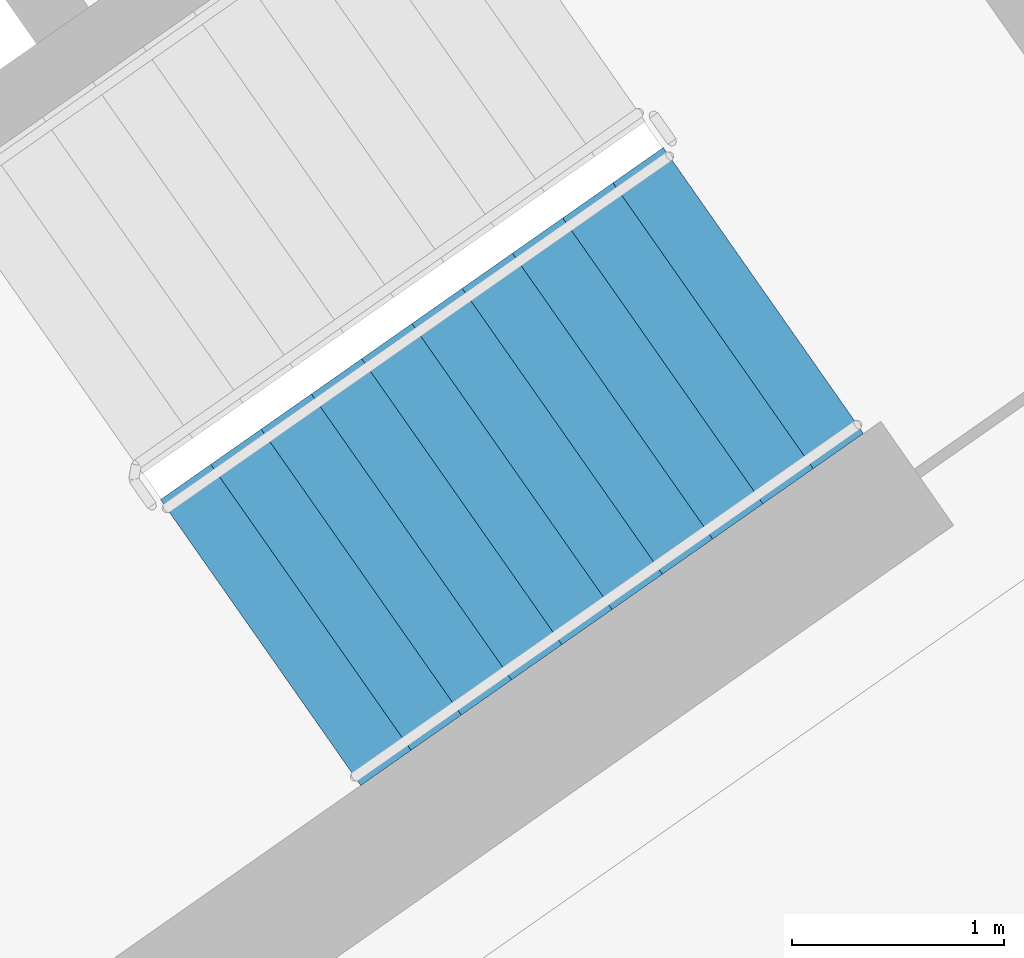
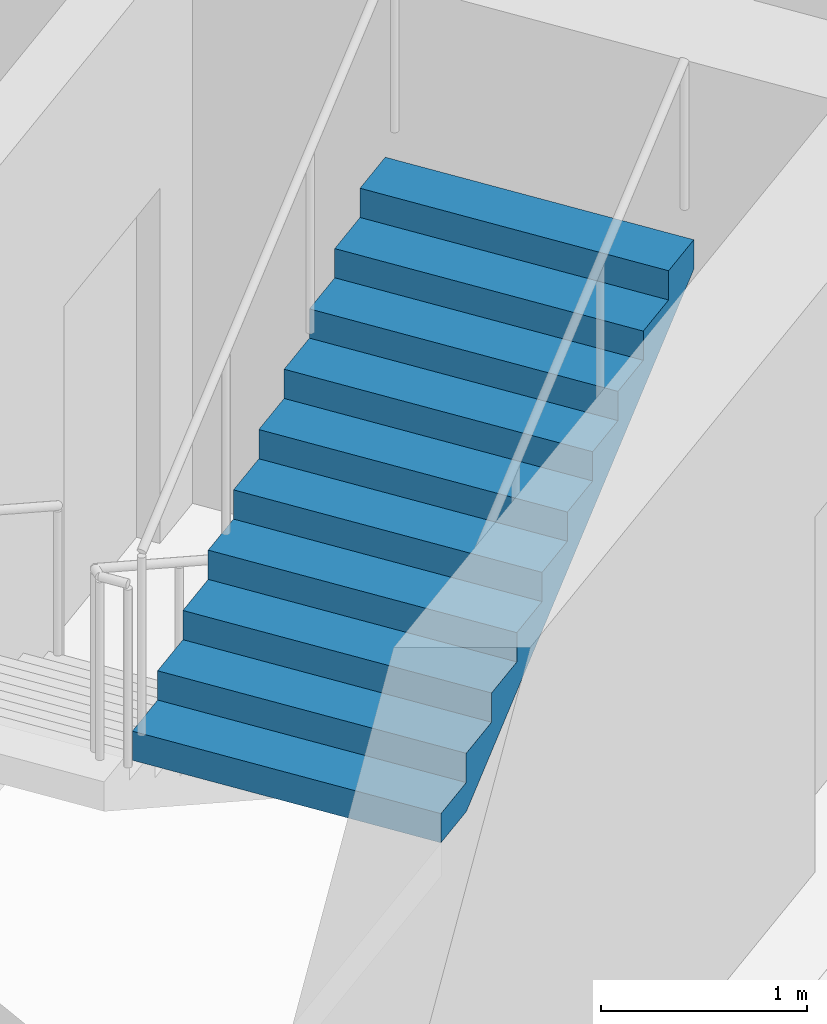
# One storey, part 16 of 28: 1 stair flight, 1 element without a shape of its own.
"""IFC4 building model written with IfcOpenShell, lengths in metres."""

from ifc_helpers import new_model, si_unit, direction, frame, origin, place, context, subcontext, project, spatial, faceted_brep, material, type_object, element, aggregate, save


model = new_model("IFC4")

# Units and contexts
model_context = context("Model", 3, precision=1e-05, world=origin(), true_north=direction((0.0, 1.0)))
body_context = subcontext(model_context, "Body", "Model", "MODEL_VIEW")
ifc_project = project(units=[si_unit("LENGTHUNIT", "METRE"), si_unit("AREAUNIT", "SQUARE_METRE"), si_unit("VOLUMEUNIT", "CUBIC_METRE"), si_unit("PLANEANGLEUNIT", "RADIAN"), si_unit("MASSUNIT", "GRAM", prefix="KILO")], contexts=[model_context])

# Site, building, storey
site_placement = place(None, origin())
site = spatial("IfcSite", under=ifc_project, at=site_placement, CompositionType="ELEMENT")
building_placement = place(site_placement, origin())
building = spatial("IfcBuilding", under=site, at=building_placement, Name="Qamariyya Broadcast Tower", CompositionType="ELEMENT")
storey_placement = place(building_placement, frame((0.0, 0.0, 249.300048828125)))
storey = spatial("IfcBuildingStorey", under=building, at=storey_placement, Name="L60", CompositionType="ELEMENT", Elevation=249.300048828125)

# Stair, stair flight
ifc_material = material(Name="Concrete C50/60", Category="concrete")
stair_type = type_object("IfcStairType", Name="Exit stair 22 risers of 173 mm", PredefinedType="HALF_TURN_STAIR", material=ifc_material)
stair_placement = place(storey_placement, origin())
stair = element("IfcStair", 1, at=stair_placement, inside=storey, type_object=stair_type, Name="L60 Stair E1", PredefinedType="HALF_TURN_STAIR")
stair_flight_type = type_object("IfcStairFlightType", Name="Exit stair flight 11 risers of 173 mm", PredefinedType="STRAIGHT", material=ifc_material)
stair_flight_placement = place(storey_placement, frame((44.693359375, -58.64599609375, 1.89990234375), z_axis=(0.0, 0.0, 1.0), x_axis=(0.819152044289, 0.573576436351, 0.0)))
stair_flight = element("IfcStairFlight", 2, at=stair_flight_placement, type_object=stair_flight_type, Name="ST-E1 flight 2", NumberOfRisers=11, NumberOfTreads=10, PredefinedType="STRAIGHT", RiserHeight=0.172727273, TreadLength=0.29, context=body_context, shape_type="Brep", body=[
    faceted_brep([(0.0, 0.824951171875, 0.0), (0.0, 0.824951171875, 0.172607421875), (0.2900390625, 0.824951171875, 0.172607421875), (0.2900390625, 0.824951171875, 0.345458984375), (0.580078125, 0.824951171875, 0.345458984375), (0.580078125, 0.824951171875, 0.51806640625), (0.8701171875, 0.824951171875, 0.51806640625), (0.8701171875, 0.824951171875, 0.69091796875), (1.159912109375, 0.824951171875, 0.69091796875), (1.159912109375, 0.824951171875, 0.863525390625), (1.449951171875, 0.824951171875, 0.863525390625), (1.449951171875, 0.824951171875, 1.036376953125), (1.739990234375, 0.824951171875, 1.036376953125), (1.739990234375, 0.824951171875, 1.208984375), (2.030029296875, 0.824951171875, 1.208984375), (2.030029296875, 0.824951171875, 1.3818359375), (2.320068359375, 0.824951171875, 1.3818359375), (2.320068359375, 0.824951171875, 1.554443359375), (2.610107421875, 0.824951171875, 1.554443359375), (2.610107421875, 0.824951171875, 1.727294921875), (2.89990234375, 0.824951171875, 1.727294921875), (2.89990234375, 0.824951171875, 1.552734375), (0.29296875, 0.824951171875, 0.0), (0.29296875, -0.824951171875, 0.0), (2.89990234375, -0.824951171875, 1.552734375), (2.89990234375, -0.824951171875, 1.727294921875), (2.610107421875, -0.824951171875, 1.727294921875), (2.610107421875, -0.824951171875, 1.554443359375), (2.320068359375, -0.824951171875, 1.554443359375), (2.320068359375, -0.824951171875, 1.3818359375), (2.030029296875, -0.824951171875, 1.3818359375), (2.030029296875, -0.824951171875, 1.208984375), (1.739990234375, -0.824951171875, 1.208984375), (1.739990234375, -0.824951171875, 1.036376953125), (1.449951171875, -0.824951171875, 1.036376953125), (1.449951171875, -0.824951171875, 0.863525390625), (1.159912109375, -0.824951171875, 0.863525390625), (1.159912109375, -0.824951171875, 0.69091796875), (0.8701171875, -0.824951171875, 0.69091796875), (0.8701171875, -0.824951171875, 0.51806640625), (0.580078125, -0.824951171875, 0.51806640625), (0.580078125, -0.824951171875, 0.345458984375), (0.2900390625, -0.824951171875, 0.345458984375), (0.2900390625, -0.824951171875, 0.172607421875), (0.0, -0.824951171875, 0.172607421875), (0.0, -0.824951171875, 0.0), (0.0, 0.10009765625, 0.0), (0.0, 0.086669921875, 0.0), (0.0, 0.0732421875, 0.0), (0.0, 0.06005859375, 0.0), (0.0, 0.046630859375, 0.0), (0.0, 0.033447265625, 0.0), (0.0, 0.02001953125, 0.0), (0.0, 0.006591796875, 0.0), (0.0, -0.006591796875, 0.0), (0.0, -0.02001953125, 0.0), (0.0, -0.033447265625, 0.0), (0.0, -0.046630859375, 0.0), (0.0, -0.06005859375, 0.0), (0.0, -0.0732421875, 0.0), (0.0, -0.086669921875, 0.0), (0.0, -0.10009765625, 0.0), (0.0, -0.10009765625, 0.172607421875), (0.0, -0.086669921875, 0.172607421875), (0.0, -0.0732421875, 0.172607421875), (0.0, -0.06005859375, 0.172607421875), (0.0, -0.046630859375, 0.172607421875), (0.0, -0.033447265625, 0.172607421875), (0.0, -0.02001953125, 0.172607421875), (0.0, -0.006591796875, 0.172607421875), (0.0, 0.006591796875, 0.172607421875), (0.0, 0.02001953125, 0.172607421875), (0.0, 0.033447265625, 0.172607421875), (0.0, 0.046630859375, 0.172607421875), (0.0, 0.06005859375, 0.172607421875), (0.0, 0.0732421875, 0.172607421875), (0.0, 0.086669921875, 0.172607421875), (0.0, 0.10009765625, 0.172607421875), (0.2900390625, -0.10009765625, 0.172607421875), (0.2900390625, -0.086669921875, 0.172607421875), (0.2900390625, -0.0732421875, 0.172607421875), (0.2900390625, -0.06005859375, 0.172607421875), (0.2900390625, -0.046630859375, 0.172607421875), (0.2900390625, -0.033447265625, 0.172607421875), (0.2900390625, -0.02001953125, 0.172607421875), (0.2900390625, -0.006591796875, 0.172607421875), (0.2900390625, 0.006591796875, 0.172607421875), (0.2900390625, 0.02001953125, 0.172607421875), (0.2900390625, 0.033447265625, 0.172607421875), (0.2900390625, 0.046630859375, 0.172607421875), (0.2900390625, 0.06005859375, 0.172607421875), (0.2900390625, 0.0732421875, 0.172607421875), (0.2900390625, 0.086669921875, 0.172607421875), (0.2900390625, 0.10009765625, 0.172607421875), (0.2900390625, -0.10009765625, 0.345458984375), (0.2900390625, -0.086669921875, 0.345458984375), (0.2900390625, -0.0732421875, 0.345458984375), (0.2900390625, -0.06005859375, 0.345458984375), (0.2900390625, -0.046630859375, 0.345458984375), (0.2900390625, -0.033447265625, 0.345458984375), (0.2900390625, -0.02001953125, 0.345458984375), (0.2900390625, -0.006591796875, 0.345458984375), (0.2900390625, 0.006591796875, 0.345458984375), (0.2900390625, 0.02001953125, 0.345458984375), (0.2900390625, 0.033447265625, 0.345458984375), (0.2900390625, 0.046630859375, 0.345458984375), (0.2900390625, 0.06005859375, 0.345458984375), (0.2900390625, 0.0732421875, 0.345458984375), (0.2900390625, 0.086669921875, 0.345458984375), (0.2900390625, 0.10009765625, 0.345458984375), (0.580078125, -0.10009765625, 0.345458984375), (0.580078125, -0.086669921875, 0.345458984375), (0.580078125, -0.0732421875, 0.345458984375), (0.580078125, -0.06005859375, 0.345458984375), (0.580078125, -0.046630859375, 0.345458984375), (0.580078125, -0.033447265625, 0.345458984375), (0.580078125, -0.02001953125, 0.345458984375), (0.580078125, -0.006591796875, 0.345458984375), (0.580078125, 0.006591796875, 0.345458984375), (0.580078125, 0.02001953125, 0.345458984375), (0.580078125, 0.033447265625, 0.345458984375), (0.580078125, 0.046630859375, 0.345458984375), (0.580078125, 0.06005859375, 0.345458984375), (0.580078125, 0.0732421875, 0.345458984375), (0.580078125, 0.086669921875, 0.345458984375), (0.580078125, 0.10009765625, 0.345458984375), (0.580078125, -0.10009765625, 0.51806640625), (0.580078125, -0.086669921875, 0.51806640625), (0.580078125, -0.0732421875, 0.51806640625), (0.580078125, -0.06005859375, 0.51806640625), (0.580078125, -0.046630859375, 0.51806640625), (0.580078125, -0.033447265625, 0.51806640625), (0.580078125, -0.02001953125, 0.51806640625), (0.580078125, -0.006591796875, 0.51806640625), (0.580078125, 0.006591796875, 0.51806640625), (0.580078125, 0.02001953125, 0.51806640625), (0.580078125, 0.033447265625, 0.51806640625), (0.580078125, 0.046630859375, 0.51806640625), (0.580078125, 0.06005859375, 0.51806640625), (0.580078125, 0.0732421875, 0.51806640625), (0.580078125, 0.086669921875, 0.51806640625), (0.580078125, 0.10009765625, 0.51806640625), (0.8701171875, -0.10009765625, 0.51806640625), (0.8701171875, -0.086669921875, 0.51806640625), (0.8701171875, -0.0732421875, 0.51806640625), (0.8701171875, -0.06005859375, 0.51806640625), (0.8701171875, -0.046630859375, 0.51806640625), (0.8701171875, -0.033447265625, 0.51806640625), (0.8701171875, -0.02001953125, 0.51806640625), (0.8701171875, -0.006591796875, 0.51806640625), (0.8701171875, 0.006591796875, 0.51806640625), (0.8701171875, 0.02001953125, 0.51806640625), (0.8701171875, 0.033447265625, 0.51806640625), (0.8701171875, 0.046630859375, 0.51806640625), (0.8701171875, 0.06005859375, 0.51806640625), (0.8701171875, 0.0732421875, 0.51806640625), (0.8701171875, 0.086669921875, 0.51806640625), (0.8701171875, 0.10009765625, 0.51806640625), (0.8701171875, -0.10009765625, 0.69091796875), (0.8701171875, -0.086669921875, 0.69091796875), (0.8701171875, -0.0732421875, 0.69091796875), (0.8701171875, -0.06005859375, 0.69091796875), (0.8701171875, -0.046630859375, 0.69091796875), (0.8701171875, -0.033447265625, 0.69091796875), (0.8701171875, -0.02001953125, 0.69091796875), (0.8701171875, -0.006591796875, 0.69091796875), (0.8701171875, 0.006591796875, 0.69091796875), (0.8701171875, 0.02001953125, 0.69091796875), (0.8701171875, 0.033447265625, 0.69091796875), (0.8701171875, 0.046630859375, 0.69091796875), (0.8701171875, 0.06005859375, 0.69091796875), (0.8701171875, 0.0732421875, 0.69091796875), (0.8701171875, 0.086669921875, 0.69091796875), (0.8701171875, 0.10009765625, 0.69091796875), (1.159912109375, -0.10009765625, 0.69091796875), (1.159912109375, -0.086669921875, 0.69091796875), (1.159912109375, -0.0732421875, 0.69091796875), (1.159912109375, -0.06005859375, 0.69091796875), (1.159912109375, -0.046630859375, 0.69091796875), (1.159912109375, -0.033447265625, 0.69091796875), (1.159912109375, -0.02001953125, 0.69091796875), (1.159912109375, -0.006591796875, 0.69091796875), (1.159912109375, 0.006591796875, 0.69091796875), (1.159912109375, 0.02001953125, 0.69091796875), (1.159912109375, 0.033447265625, 0.69091796875), (1.159912109375, 0.046630859375, 0.69091796875), (1.159912109375, 0.06005859375, 0.69091796875), (1.159912109375, 0.0732421875, 0.69091796875), (1.159912109375, 0.086669921875, 0.69091796875), (1.159912109375, 0.10009765625, 0.69091796875), (1.159912109375, -0.10009765625, 0.863525390625), (1.159912109375, -0.086669921875, 0.863525390625), (1.159912109375, -0.0732421875, 0.863525390625), (1.159912109375, -0.06005859375, 0.863525390625), (1.159912109375, -0.046630859375, 0.863525390625), (1.159912109375, -0.033447265625, 0.863525390625), (1.159912109375, -0.02001953125, 0.863525390625), (1.159912109375, -0.006591796875, 0.863525390625), (1.159912109375, 0.006591796875, 0.863525390625), (1.159912109375, 0.02001953125, 0.863525390625), (1.159912109375, 0.033447265625, 0.863525390625), (1.159912109375, 0.046630859375, 0.863525390625), (1.159912109375, 0.06005859375, 0.863525390625), (1.159912109375, 0.0732421875, 0.863525390625), (1.159912109375, 0.086669921875, 0.863525390625), (1.159912109375, 0.10009765625, 0.863525390625), (1.449951171875, -0.10009765625, 0.863525390625), (1.449951171875, -0.086669921875, 0.863525390625), (1.449951171875, -0.0732421875, 0.863525390625), (1.449951171875, -0.06005859375, 0.863525390625), (1.449951171875, -0.046630859375, 0.863525390625), (1.449951171875, -0.033447265625, 0.863525390625), (1.449951171875, -0.02001953125, 0.863525390625), (1.449951171875, -0.006591796875, 0.863525390625), (1.449951171875, 0.006591796875, 0.863525390625), (1.449951171875, 0.02001953125, 0.863525390625), (1.449951171875, 0.033447265625, 0.863525390625), (1.449951171875, 0.046630859375, 0.863525390625), (1.449951171875, 0.06005859375, 0.863525390625), (1.449951171875, 0.0732421875, 0.863525390625), (1.449951171875, 0.086669921875, 0.863525390625), (1.449951171875, 0.10009765625, 0.863525390625), (1.449951171875, -0.10009765625, 1.036376953125), (1.449951171875, -0.086669921875, 1.036376953125), (1.449951171875, -0.0732421875, 1.036376953125), (1.449951171875, -0.06005859375, 1.036376953125), (1.449951171875, -0.046630859375, 1.036376953125), (1.449951171875, -0.033447265625, 1.036376953125), (1.449951171875, -0.02001953125, 1.036376953125), (1.449951171875, -0.006591796875, 1.036376953125), (1.449951171875, 0.006591796875, 1.036376953125), (1.449951171875, 0.02001953125, 1.036376953125), (1.449951171875, 0.033447265625, 1.036376953125), (1.449951171875, 0.046630859375, 1.036376953125), (1.449951171875, 0.06005859375, 1.036376953125), (1.449951171875, 0.0732421875, 1.036376953125), (1.449951171875, 0.086669921875, 1.036376953125), (1.449951171875, 0.10009765625, 1.036376953125), (1.739990234375, -0.10009765625, 1.036376953125), (1.739990234375, -0.086669921875, 1.036376953125), (1.739990234375, -0.0732421875, 1.036376953125), (1.739990234375, -0.06005859375, 1.036376953125), (1.739990234375, -0.046630859375, 1.036376953125), (1.739990234375, -0.033447265625, 1.036376953125), (1.739990234375, -0.02001953125, 1.036376953125), (1.739990234375, -0.006591796875, 1.036376953125), (1.739990234375, 0.006591796875, 1.036376953125), (1.739990234375, 0.02001953125, 1.036376953125), (1.739990234375, 0.033447265625, 1.036376953125), (1.739990234375, 0.046630859375, 1.036376953125), (1.739990234375, 0.06005859375, 1.036376953125), (1.739990234375, 0.0732421875, 1.036376953125), (1.739990234375, 0.086669921875, 1.036376953125), (1.739990234375, 0.10009765625, 1.036376953125), (1.739990234375, -0.10009765625, 1.208984375), (1.739990234375, -0.086669921875, 1.208984375), (1.739990234375, -0.0732421875, 1.208984375), (1.739990234375, -0.06005859375, 1.208984375), (1.739990234375, -0.046630859375, 1.208984375), (1.739990234375, -0.033447265625, 1.208984375), (1.739990234375, -0.02001953125, 1.208984375), (1.739990234375, -0.006591796875, 1.208984375), (1.739990234375, 0.006591796875, 1.208984375), (1.739990234375, 0.02001953125, 1.208984375), (1.739990234375, 0.033447265625, 1.208984375), (1.739990234375, 0.046630859375, 1.208984375), (1.739990234375, 0.06005859375, 1.208984375), (1.739990234375, 0.0732421875, 1.208984375), (1.739990234375, 0.086669921875, 1.208984375), (1.739990234375, 0.10009765625, 1.208984375), (2.030029296875, -0.10009765625, 1.208984375), (2.030029296875, -0.086669921875, 1.208984375), (2.030029296875, -0.0732421875, 1.208984375), (2.030029296875, -0.06005859375, 1.208984375), (2.030029296875, -0.046630859375, 1.208984375), (2.030029296875, -0.033447265625, 1.208984375), (2.030029296875, -0.02001953125, 1.208984375), (2.030029296875, -0.006591796875, 1.208984375), (2.030029296875, 0.006591796875, 1.208984375), (2.030029296875, 0.02001953125, 1.208984375), (2.030029296875, 0.033447265625, 1.208984375), (2.030029296875, 0.046630859375, 1.208984375), (2.030029296875, 0.06005859375, 1.208984375), (2.030029296875, 0.0732421875, 1.208984375), (2.030029296875, 0.086669921875, 1.208984375), (2.030029296875, 0.10009765625, 1.208984375), (2.030029296875, -0.10009765625, 1.3818359375), (2.030029296875, -0.086669921875, 1.3818359375), (2.030029296875, -0.0732421875, 1.3818359375), (2.030029296875, -0.06005859375, 1.3818359375), (2.030029296875, -0.046630859375, 1.3818359375), (2.030029296875, -0.033447265625, 1.3818359375), (2.030029296875, -0.02001953125, 1.3818359375), (2.030029296875, -0.006591796875, 1.3818359375), (2.030029296875, 0.006591796875, 1.3818359375), (2.030029296875, 0.02001953125, 1.3818359375), (2.030029296875, 0.033447265625, 1.3818359375), (2.030029296875, 0.046630859375, 1.3818359375), (2.030029296875, 0.06005859375, 1.3818359375), (2.030029296875, 0.0732421875, 1.3818359375), (2.030029296875, 0.086669921875, 1.3818359375), (2.030029296875, 0.10009765625, 1.3818359375), (2.320068359375, -0.10009765625, 1.3818359375), (2.320068359375, -0.086669921875, 1.3818359375), (2.320068359375, -0.0732421875, 1.3818359375), (2.320068359375, -0.06005859375, 1.3818359375), (2.320068359375, -0.046630859375, 1.3818359375), (2.320068359375, -0.033447265625, 1.3818359375), (2.320068359375, -0.02001953125, 1.3818359375), (2.320068359375, -0.006591796875, 1.3818359375), (2.320068359375, 0.006591796875, 1.3818359375), (2.320068359375, 0.02001953125, 1.3818359375), (2.320068359375, 0.033447265625, 1.3818359375), (2.320068359375, 0.046630859375, 1.3818359375), (2.320068359375, 0.06005859375, 1.3818359375), (2.320068359375, 0.0732421875, 1.3818359375), (2.320068359375, 0.086669921875, 1.3818359375), (2.320068359375, 0.10009765625, 1.3818359375), (2.320068359375, -0.10009765625, 1.554443359375), (2.320068359375, -0.086669921875, 1.554443359375), (2.320068359375, -0.0732421875, 1.554443359375), (2.320068359375, -0.06005859375, 1.554443359375), (2.320068359375, -0.046630859375, 1.554443359375), (2.320068359375, -0.033447265625, 1.554443359375), (2.320068359375, -0.02001953125, 1.554443359375), (2.320068359375, -0.006591796875, 1.554443359375), (2.320068359375, 0.006591796875, 1.554443359375), (2.320068359375, 0.02001953125, 1.554443359375), (2.320068359375, 0.033447265625, 1.554443359375), (2.320068359375, 0.046630859375, 1.554443359375), (2.320068359375, 0.06005859375, 1.554443359375), (2.320068359375, 0.0732421875, 1.554443359375), (2.320068359375, 0.086669921875, 1.554443359375), (2.320068359375, 0.10009765625, 1.554443359375), (2.610107421875, -0.10009765625, 1.554443359375), (2.610107421875, -0.086669921875, 1.554443359375), (2.610107421875, -0.0732421875, 1.554443359375), (2.610107421875, -0.06005859375, 1.554443359375), (2.610107421875, -0.046630859375, 1.554443359375), (2.610107421875, -0.033447265625, 1.554443359375), (2.610107421875, -0.02001953125, 1.554443359375), (2.610107421875, -0.006591796875, 1.554443359375), (2.610107421875, 0.006591796875, 1.554443359375), (2.610107421875, 0.02001953125, 1.554443359375), (2.610107421875, 0.033447265625, 1.554443359375), (2.610107421875, 0.046630859375, 1.554443359375), (2.610107421875, 0.06005859375, 1.554443359375), (2.610107421875, 0.0732421875, 1.554443359375), (2.610107421875, 0.086669921875, 1.554443359375), (2.610107421875, 0.10009765625, 1.554443359375), (2.610107421875, -0.10009765625, 1.727294921875), (2.610107421875, -0.086669921875, 1.727294921875), (2.610107421875, -0.0732421875, 1.727294921875), (2.610107421875, -0.06005859375, 1.727294921875), (2.610107421875, -0.046630859375, 1.727294921875), (2.610107421875, -0.033447265625, 1.727294921875), (2.610107421875, -0.02001953125, 1.727294921875), (2.610107421875, -0.006591796875, 1.727294921875), (2.610107421875, 0.006591796875, 1.727294921875), (2.610107421875, 0.02001953125, 1.727294921875), (2.610107421875, 0.033447265625, 1.727294921875), (2.610107421875, 0.046630859375, 1.727294921875), (2.610107421875, 0.06005859375, 1.727294921875), (2.610107421875, 0.0732421875, 1.727294921875), (2.610107421875, 0.086669921875, 1.727294921875), (2.610107421875, 0.10009765625, 1.727294921875), (2.89990234375, -0.10009765625, 1.727294921875), (2.89990234375, -0.086669921875, 1.727294921875), (2.89990234375, -0.0732421875, 1.727294921875), (2.89990234375, -0.06005859375, 1.727294921875), (2.89990234375, -0.046630859375, 1.727294921875), (2.89990234375, -0.033447265625, 1.727294921875), (2.89990234375, -0.02001953125, 1.727294921875), (2.89990234375, -0.006591796875, 1.727294921875), (2.89990234375, 0.006591796875, 1.727294921875), (2.89990234375, 0.02001953125, 1.727294921875), (2.89990234375, 0.033447265625, 1.727294921875), (2.89990234375, 0.046630859375, 1.727294921875), (2.89990234375, 0.06005859375, 1.727294921875), (2.89990234375, 0.0732421875, 1.727294921875), (2.89990234375, 0.086669921875, 1.727294921875), (2.89990234375, 0.10009765625, 1.727294921875), (2.89990234375, -0.10009765625, 1.552734375), (2.89990234375, -0.086669921875, 1.552734375), (2.89990234375, -0.0732421875, 1.552734375), (2.89990234375, -0.06005859375, 1.552734375), (2.89990234375, -0.046630859375, 1.552734375), (2.89990234375, -0.033447265625, 1.552734375), (2.89990234375, -0.02001953125, 1.552734375), (2.89990234375, -0.006591796875, 1.552734375), (2.89990234375, 0.006591796875, 1.552734375), (2.89990234375, 0.02001953125, 1.552734375), (2.89990234375, 0.033447265625, 1.552734375), (2.89990234375, 0.046630859375, 1.552734375), (2.89990234375, 0.06005859375, 1.552734375), (2.89990234375, 0.0732421875, 1.552734375), (2.89990234375, 0.086669921875, 1.552734375), (2.89990234375, 0.10009765625, 1.552734375), (0.29296875, -0.10009765625, 0.0), (0.29296875, -0.086669921875, 0.0), (0.29296875, -0.0732421875, 0.0), (0.29296875, -0.06005859375, 0.0), (0.29296875, -0.046630859375, 0.0), (0.29296875, -0.033447265625, 0.0), (0.29296875, -0.02001953125, 0.0), (0.29296875, -0.006591796875, 0.0), (0.29296875, 0.006591796875, 0.0), (0.29296875, 0.02001953125, 0.0), (0.29296875, 0.033447265625, 0.0), (0.29296875, 0.046630859375, 0.0), (0.29296875, 0.06005859375, 0.0), (0.29296875, 0.0732421875, 0.0), (0.29296875, 0.086669921875, 0.0), (0.29296875, 0.10009765625, 0.0)], [[[0, 1, 2, 3, 4, 5, 6, 7, 8, 9, 10, 11, 12, 13, 14, 15, 16, 17, 18, 19, 20, 21, 22]], [[23, 24, 25, 26, 27, 28, 29, 30, 31, 32, 33, 34, 35, 36, 37, 38, 39, 40, 41, 42, 43, 44, 45]], [[0, 46, 47, 48, 49, 50, 51, 52, 53, 54, 55, 56, 57, 58, 59, 60, 61, 45, 44, 62, 63, 64, 65, 66, 67, 68, 69, 70, 71, 72, 73, 74, 75, 76, 77, 1]], [[1, 77, 76, 75, 74, 73, 72, 71, 70, 69, 68, 67, 66, 65, 64, 63, 62, 44, 43, 78, 79, 80, 81, 82, 83, 84, 85, 86, 87, 88, 89, 90, 91, 92, 93, 2]], [[2, 93, 92, 91, 90, 89, 88, 87, 86, 85, 84, 83, 82, 81, 80, 79, 78, 43, 42, 94, 95, 96, 97, 98, 99, 100, 101, 102, 103, 104, 105, 106, 107, 108, 109, 3]], [[3, 109, 108, 107, 106, 105, 104, 103, 102, 101, 100, 99, 98, 97, 96, 95, 94, 42, 41, 110, 111, 112, 113, 114, 115, 116, 117, 118, 119, 120, 121, 122, 123, 124, 125, 4]], [[4, 125, 124, 123, 122, 121, 120, 119, 118, 117, 116, 115, 114, 113, 112, 111, 110, 41, 40, 126, 127, 128, 129, 130, 131, 132, 133, 134, 135, 136, 137, 138, 139, 140, 141, 5]], [[5, 141, 140, 139, 138, 137, 136, 135, 134, 133, 132, 131, 130, 129, 128, 127, 126, 40, 39, 142, 143, 144, 145, 146, 147, 148, 149, 150, 151, 152, 153, 154, 155, 156, 157, 6]], [[6, 157, 156, 155, 154, 153, 152, 151, 150, 149, 148, 147, 146, 145, 144, 143, 142, 39, 38, 158, 159, 160, 161, 162, 163, 164, 165, 166, 167, 168, 169, 170, 171, 172, 173, 7]], [[7, 173, 172, 171, 170, 169, 168, 167, 166, 165, 164, 163, 162, 161, 160, 159, 158, 38, 37, 174, 175, 176, 177, 178, 179, 180, 181, 182, 183, 184, 185, 186, 187, 188, 189, 8]], [[8, 189, 188, 187, 186, 185, 184, 183, 182, 181, 180, 179, 178, 177, 176, 175, 174, 37, 36, 190, 191, 192, 193, 194, 195, 196, 197, 198, 199, 200, 201, 202, 203, 204, 205, 9]], [[9, 205, 204, 203, 202, 201, 200, 199, 198, 197, 196, 195, 194, 193, 192, 191, 190, 36, 35, 206, 207, 208, 209, 210, 211, 212, 213, 214, 215, 216, 217, 218, 219, 220, 221, 10]], [[10, 221, 220, 219, 218, 217, 216, 215, 214, 213, 212, 211, 210, 209, 208, 207, 206, 35, 34, 222, 223, 224, 225, 226, 227, 228, 229, 230, 231, 232, 233, 234, 235, 236, 237, 11]], [[11, 237, 236, 235, 234, 233, 232, 231, 230, 229, 228, 227, 226, 225, 224, 223, 222, 34, 33, 238, 239, 240, 241, 242, 243, 244, 245, 246, 247, 248, 249, 250, 251, 252, 253, 12]], [[12, 253, 252, 251, 250, 249, 248, 247, 246, 245, 244, 243, 242, 241, 240, 239, 238, 33, 32, 254, 255, 256, 257, 258, 259, 260, 261, 262, 263, 264, 265, 266, 267, 268, 269, 13]], [[13, 269, 268, 267, 266, 265, 264, 263, 262, 261, 260, 259, 258, 257, 256, 255, 254, 32, 31, 270, 271, 272, 273, 274, 275, 276, 277, 278, 279, 280, 281, 282, 283, 284, 285, 14]], [[14, 285, 284, 283, 282, 281, 280, 279, 278, 277, 276, 275, 274, 273, 272, 271, 270, 31, 30, 286, 287, 288, 289, 290, 291, 292, 293, 294, 295, 296, 297, 298, 299, 300, 301, 15]], [[15, 301, 300, 299, 298, 297, 296, 295, 294, 293, 292, 291, 290, 289, 288, 287, 286, 30, 29, 302, 303, 304, 305, 306, 307, 308, 309, 310, 311, 312, 313, 314, 315, 316, 317, 16]], [[16, 317, 316, 315, 314, 313, 312, 311, 310, 309, 308, 307, 306, 305, 304, 303, 302, 29, 28, 318, 319, 320, 321, 322, 323, 324, 325, 326, 327, 328, 329, 330, 331, 332, 333, 17]], [[17, 333, 332, 331, 330, 329, 328, 327, 326, 325, 324, 323, 322, 321, 320, 319, 318, 28, 27, 334, 335, 336, 337, 338, 339, 340, 341, 342, 343, 344, 345, 346, 347, 348, 349, 18]], [[18, 349, 348, 347, 346, 345, 344, 343, 342, 341, 340, 339, 338, 337, 336, 335, 334, 27, 26, 350, 351, 352, 353, 354, 355, 356, 357, 358, 359, 360, 361, 362, 363, 364, 365, 19]], [[19, 365, 364, 363, 362, 361, 360, 359, 358, 357, 356, 355, 354, 353, 352, 351, 350, 26, 25, 366, 367, 368, 369, 370, 371, 372, 373, 374, 375, 376, 377, 378, 379, 380, 381, 20]], [[20, 381, 380, 379, 378, 377, 376, 375, 374, 373, 372, 371, 370, 369, 368, 367, 366, 25, 24, 382, 383, 384, 385, 386, 387, 388, 389, 390, 391, 392, 393, 394, 395, 396, 397, 21]], [[21, 397, 396, 395, 394, 393, 392, 391, 390, 389, 388, 387, 386, 385, 384, 383, 382, 24, 23, 398, 399, 400, 401, 402, 403, 404, 405, 406, 407, 408, 409, 410, 411, 412, 413, 22]], [[22, 413, 412, 411, 410, 409, 408, 407, 406, 405, 404, 403, 402, 401, 400, 399, 398, 23, 45, 61, 60, 59, 58, 57, 56, 55, 54, 53, 52, 51, 50, 49, 48, 47, 46, 0]]]),
])
aggregate(stair, [stair_flight])

save(model, "model.ifc")
